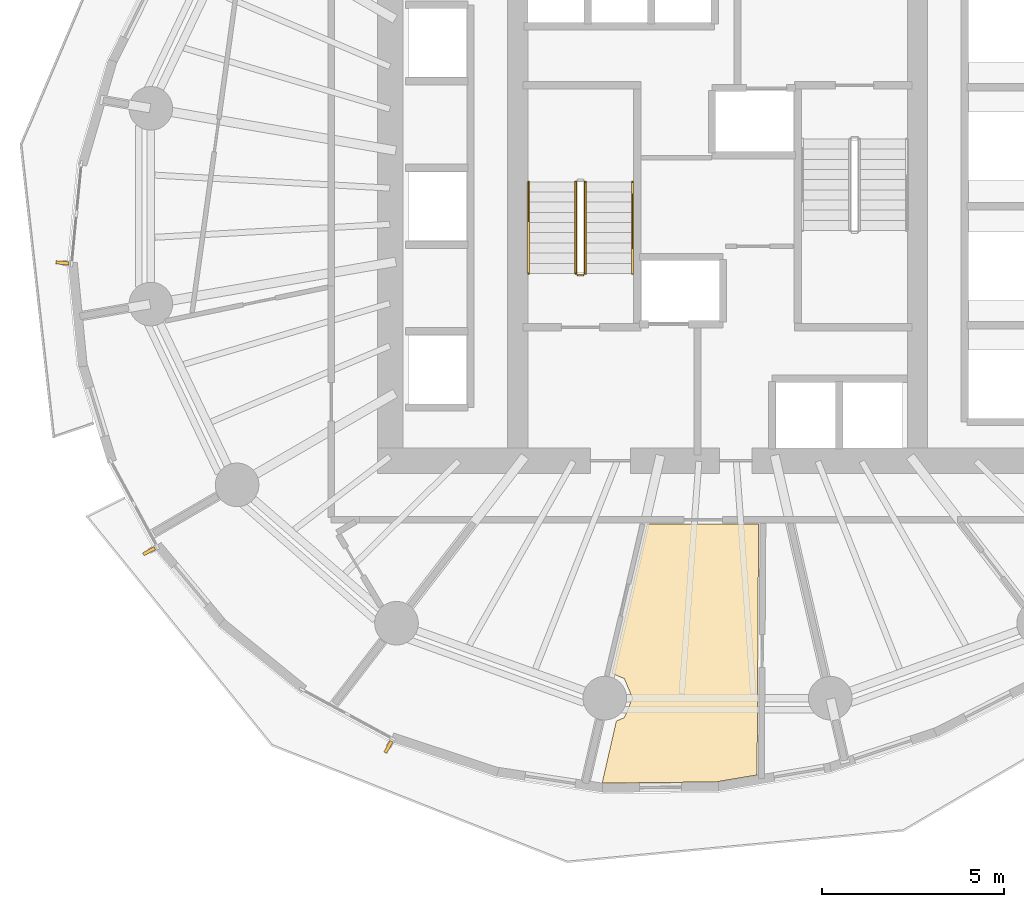
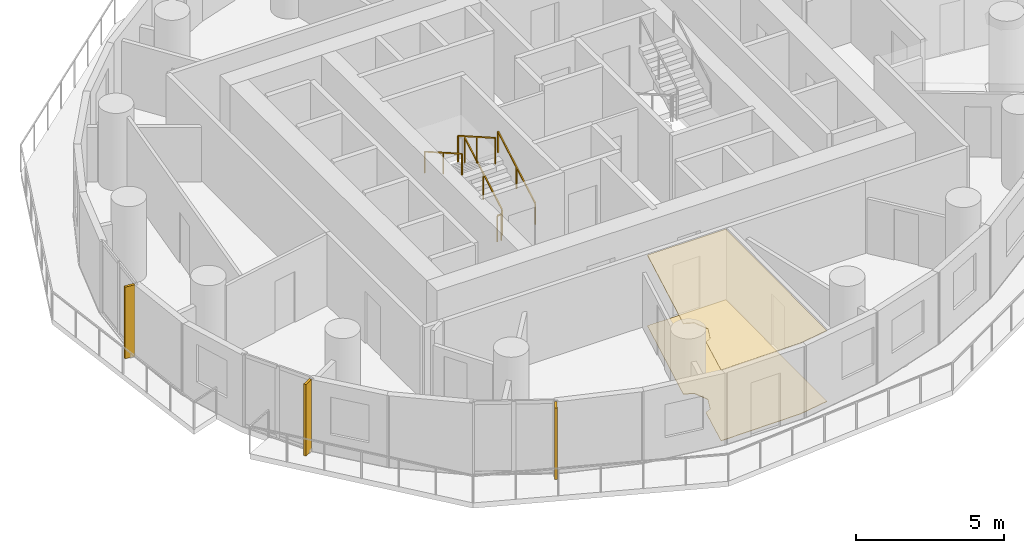
# One storey, part 11 of 14: 5 railings, 3 shading devices, 2 coverings.
"""IFC4 building model written with IfcOpenShell, lengths in metres."""

from ifc_helpers import new_model, si_unit, direction, frame, origin, origin_2d, place, context, subcontext, project, spatial, polyline, rectangle, outline, extrude, material, layer, layer_set, type_object, element, save


model = new_model("IFC4")

# Units and contexts
model_context = context("Model", 3, precision=1e-05, world=origin(), true_north=direction((0.0, 1.0)))
body_context = subcontext(model_context, "Body", "Model", "MODEL_VIEW")
ifc_project = project(units=[si_unit("LENGTHUNIT", "METRE"), si_unit("AREAUNIT", "SQUARE_METRE"), si_unit("VOLUMEUNIT", "CUBIC_METRE"), si_unit("PLANEANGLEUNIT", "RADIAN"), si_unit("MASSUNIT", "GRAM", prefix="KILO")], contexts=[model_context])

# Site, building, storey
site_placement = place(None, origin())
site = spatial("IfcSite", under=ifc_project, at=site_placement, CompositionType="ELEMENT")
building_placement = place(site_placement, origin())
building = spatial("IfcBuilding", under=site, at=building_placement, Name="Veldorim Arch Residences", CompositionType="ELEMENT")
storey_placement = place(building_placement, frame((0.0, 0.0, 99.679931640625)))
storey = spatial("IfcBuildingStorey", under=building, at=storey_placement, Name="L29", CompositionType="ELEMENT", Elevation=99.679931640625)

# Railings
ifc_material_1 = material(Name="Steel S355", Category="steel")
railing_type_1 = type_object("IfcRailingType", Name="Galvanised Steel Stair Safety Guardrail 1100", PredefinedType="GUARDRAIL", material=ifc_material_1)
railing_1_placement = place(storey_placement, frame((28.360107421875, 22.14990234375, 0.16015625)))
element("IfcRailing", 1, at=railing_1_placement, inside=storey, type_object=railing_type_1, Name="L29 ST-1 stair guard 1", PredefinedType="GUARDRAIL", context=body_context, shape_type="SweptSolid", body=[
    extrude(rectangle(XDim=0.048095703125, YDim=0.048095703125, at=origin_2d()), frame((0.0, 0.0, 1.076171875), z_axis=(0.0, 0.868253494771, 0.496120820787), x_axis=(-1.0, 0.0, 0.0)), (0.0, 0.0, 1.0), 2.90234375),
    extrude(rectangle(XDim=0.0419921875, YDim=0.0419921875, at=origin_2d()), origin(), (0.0, 0.0, 1.0), 1.052001953125),
    extrude(rectangle(XDim=0.0419921875, YDim=0.0419921875, at=origin_2d()), frame((0.0, 1.260009765625, 0.719970703125)), (0.0, 0.0, 1.0), 1.052001953125),
    extrude(rectangle(XDim=0.0419921875, YDim=0.0419921875, at=origin_2d()), frame((0.0, 2.52001953125, 1.43994140625)), (0.0, 0.0, 1.0), 1.052001953125),
])
railing_2_placement = place(storey_placement, frame((28.10009765625, 24.669921875, 1.760009765625)))
element("IfcRailing", 2, at=railing_2_placement, inside=storey, type_object=railing_type_1, Name="L29 ST-1 stair guard 3", PredefinedType="GUARDRAIL", context=body_context, shape_type="SweptSolid", body=[
    extrude(rectangle(XDim=0.048095703125, YDim=0.048095703125, at=origin_2d()), frame((0.0, 0.0, 1.076171875), z_axis=(0.0, -0.868253494771, 0.496120820787), x_axis=(1.0, 0.0, 0.0)), (0.0, 0.0, 1.0), 2.90234375),
    extrude(rectangle(XDim=0.0419921875, YDim=0.0419921875, at=origin_2d()), origin(), (0.0, 0.0, 1.0), 1.052001953125),
    extrude(rectangle(XDim=0.0419921875, YDim=0.0419921875, at=origin_2d()), frame((0.0, -1.260009765625, 0.719970703125)), (0.0, 0.0, 1.0), 1.052001953125),
    extrude(rectangle(XDim=0.0419921875, YDim=0.0419921875, at=origin_2d()), frame((0.0, -2.52001953125, 1.43994140625)), (0.0, 0.0, 1.0), 1.052001953125),
])
railing_3_placement = place(storey_placement, frame((28.31005859375, 22.10009765625, 0.0)))
element("IfcRailing", 3, at=railing_3_placement, inside=storey, type_object=railing_type_1, Name="L29 ST-1 stair guard 4", PredefinedType="GUARDRAIL", context=body_context, shape_type="SweptSolid", body=[
    extrude(rectangle(XDim=0.048095703125, YDim=0.048095703125, at=origin_2d()), frame((0.0, 0.0, 1.076171875), z_axis=(-1.0, 0.0, 0.0), x_axis=(0.0, -1.0, 0.0)), (0.0, 0.0, 1.0), 0.16015625),
    extrude(rectangle(XDim=0.0419921875, YDim=0.0419921875, at=origin_2d()), origin(), (0.0, 0.0, 1.0), 1.052001953125),
    extrude(rectangle(XDim=0.0419921875, YDim=0.0419921875, at=origin_2d()), frame((-0.16015625, 0.0, 0.0)), (0.0, 0.0, 1.0), 1.052001953125),
])

# Coverings
ifc_material_2 = material(Name="Acoustic Gypsum & Mineral Fibre", Category="gypsum")
ifc_layer_1 = layer(ifc_material_2, 0.034912109375, Name="Perforated Acoustic Mineral-Fibre Ceiling 35")
ifc_layer_set_1 = layer_set([ifc_layer_1], Name="Acoustic Gypsum & Mineral Fibre")
covering_type_1 = type_object("IfcCoveringType", Name="Perforated Acoustic Mineral-Fibre Ceiling 35", PredefinedType="CEILING", material=ifc_layer_set_1)
covering_1_placement = place(storey_placement, frame((0.0, 0.0, 2.905029296875)))
element("IfcCovering", 4, at=covering_1_placement, inside=storey, type_object=covering_type_1, Name="L29 acoustic suspended ceiling 01", PredefinedType="CEILING", context=body_context, shape_type="SweptSolid", body=[
    extrude(outline(polyline([(28.826171875, 8.13720703125), (29.2158203125, 9.8369140625), (29.435302734375, 9.927978515625), (29.657958984375, 10.465087890625), (29.435302734375, 11.00244140625), (29.09130859375, 11.14501953125), (30.0595703125, 15.25), (33.12841796875, 15.25), (33.086669921875, 8.35107421875), (31.958251953125, 8.16064453125), (28.897705078125, 8.126220703125), (28.826171875, 8.13720703125)])), origin(), (0.0, 0.0, 1.0), 0.03515625),
])
ifc_material_3 = material(Name="Porcelain Ceramic Tile", Category="ceramic")
ifc_layer_2 = layer(ifc_material_3, 0.02001953125, Name="Slip-Resistant Porcelain & Vinyl Floor Finish 20")
ifc_layer_set_2 = layer_set([ifc_layer_2], Name="Porcelain Ceramic Tile")
covering_type_2 = type_object("IfcCoveringType", Name="Slip-Resistant Porcelain & Vinyl Floor Finish 20", PredefinedType="FLOORING", material=ifc_layer_set_2)
covering_2_placement = place(storey_placement, origin())
element("IfcCovering", 5, at=covering_2_placement, inside=storey, type_object=covering_type_2, Name="L29 porcelain floor finish 01", PredefinedType="FLOORING", context=body_context, shape_type="SweptSolid", body=[
    extrude(outline(polyline([(28.826171875, 8.13720703125), (29.2158203125, 9.8369140625), (29.435302734375, 9.927978515625), (29.657958984375, 10.465087890625), (29.435302734375, 11.00244140625), (29.09130859375, 11.14501953125), (30.0595703125, 15.25), (33.12841796875, 15.25), (33.086669921875, 8.35107421875), (31.958251953125, 8.16064453125), (28.897705078125, 8.126220703125), (28.826171875, 8.13720703125)])), origin(), (0.0, 0.0, 1.0), 0.02001953125),
])

# Railings
ifc_material_4 = material(Name="Stainless Steel", Category="steel")
railing_type_2 = type_object("IfcRailingType", Name="Tubular Steel Continuous Wall Handrail 900", PredefinedType="HANDRAIL", material=ifc_material_4)
railing_4_placement = place(storey_placement, frame((29.659912109375, 22.14990234375, 0.16015625)))
element("IfcRailing", 6, at=railing_4_placement, inside=storey, type_object=railing_type_2, Name="L29 ST-1 stair handrail 1", PredefinedType="HANDRAIL", context=body_context, shape_type="SweptSolid", body=[
    extrude(rectangle(XDim=0.048095703125, YDim=0.048095703125, at=origin_2d()), frame((0.0, 0.0, 0.8759765625), z_axis=(0.0, 0.868253494771, 0.496120820787), x_axis=(-1.0, 0.0, 0.0)), (0.0, 0.0, 1.0), 2.90234375),
    extrude(rectangle(XDim=0.0419921875, YDim=0.0419921875, at=origin_2d()), origin(), (0.0, 0.0, 1.0), 0.851806640625),
    extrude(rectangle(XDim=0.0419921875, YDim=0.0419921875, at=origin_2d()), frame((0.0, 1.260009765625, 0.719970703125)), (0.0, 0.0, 1.0), 0.851806640625),
    extrude(rectangle(XDim=0.0419921875, YDim=0.0419921875, at=origin_2d()), frame((0.0, 2.52001953125, 1.43994140625)), (0.0, 0.0, 1.0), 0.851806640625),
])
railing_5_placement = place(storey_placement, frame((26.800048828125, 24.669921875, 1.760009765625)))
element("IfcRailing", 7, at=railing_5_placement, inside=storey, type_object=railing_type_2, Name="L29 ST-1 stair handrail 2", PredefinedType="HANDRAIL", context=body_context, shape_type="SweptSolid", body=[
    extrude(rectangle(XDim=0.048095703125, YDim=0.048095703125, at=origin_2d()), frame((0.0, 0.0, 0.8759765625), z_axis=(0.0, -0.868253494771, 0.496120820787), x_axis=(1.0, 0.0, 0.0)), (0.0, 0.0, 1.0), 2.90234375),
    extrude(rectangle(XDim=0.0419921875, YDim=0.0419921875, at=origin_2d()), origin(), (0.0, 0.0, 1.0), 0.851806640625),
    extrude(rectangle(XDim=0.0419921875, YDim=0.0419921875, at=origin_2d()), frame((0.0, -1.260009765625, 0.719970703125)), (0.0, 0.0, 1.0), 0.851806640625),
    extrude(rectangle(XDim=0.0419921875, YDim=0.0419921875, at=origin_2d()), frame((0.0, -2.52001953125, 1.43994140625)), (0.0, 0.0, 1.0), 0.851806640625),
])

# Shading devices
ifc_material_5 = material(Name="Terracotta Ceramic", Category="masonry")
ifc_layer_3 = layer(ifc_material_5, 0.090087890625, Name="Vertical Extruded Terracotta Baguette Sun-Shading Fin")
ifc_layer_set_3 = layer_set([ifc_layer_3], Name="Terracotta Ceramic")
shading_device_type = type_object("IfcShadingDeviceType", Name="Vertical Extruded Terracotta Baguette Sun-Shading Fin", PredefinedType="USERDEFINED", material=ifc_layer_set_3)
for number, where, z_axis, x_axis, name in (
    (8, (13.972900390625, 22.440185546875, 0.0), (0.0, 0.0, 1.0), (0.096888076238, 0.995295283161, 0.0), "L29 vertical terracotta sun-shading fin 16"),
    (9, (16.357666015625, 14.50634765625, 0.0), (0.0, 0.0, 1.0), (-0.476084726767, 0.879399416044, 0.0), "L29 vertical terracotta sun-shading fin 19"),
    (10, (22.943603515625, 9.12158203125, 0.0), (0.0, 0.0, 1.0), (-0.879399416044, 0.476084726767, 0.0), "L29 vertical terracotta sun-shading fin 22"),
):
    element("IfcShadingDevice", number, at=place(storey_placement, frame(where, z_axis=z_axis, x_axis=x_axis)), inside=storey, type_object=shading_device_type, Name=name, ObjectType="FIN", PredefinedType="USERDEFINED", context=body_context, shape_type="SweptSolid", body=[
        extrude(rectangle(XDim=0.090087890625, YDim=0.360107421875, at=origin_2d()), origin(), (0.0, 0.0, 1.0), 2.9599609375),
    ])

save(model, "model.ifc")
